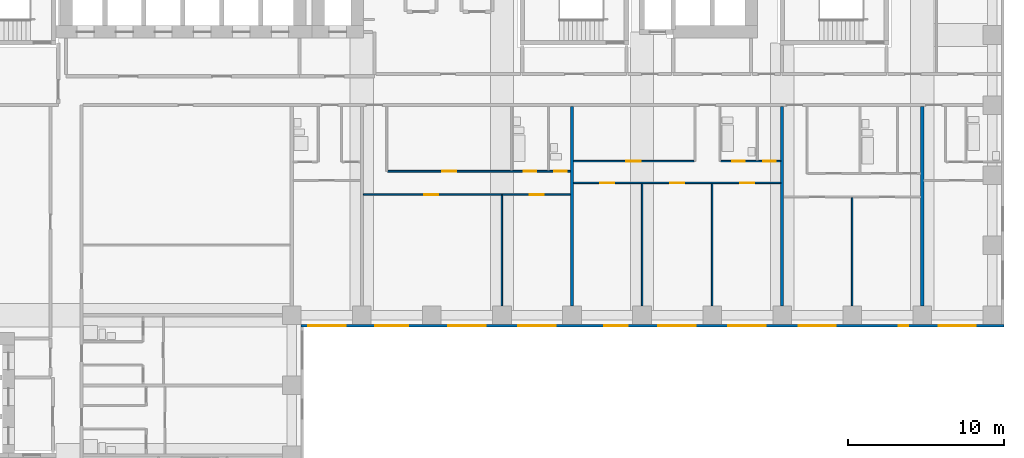
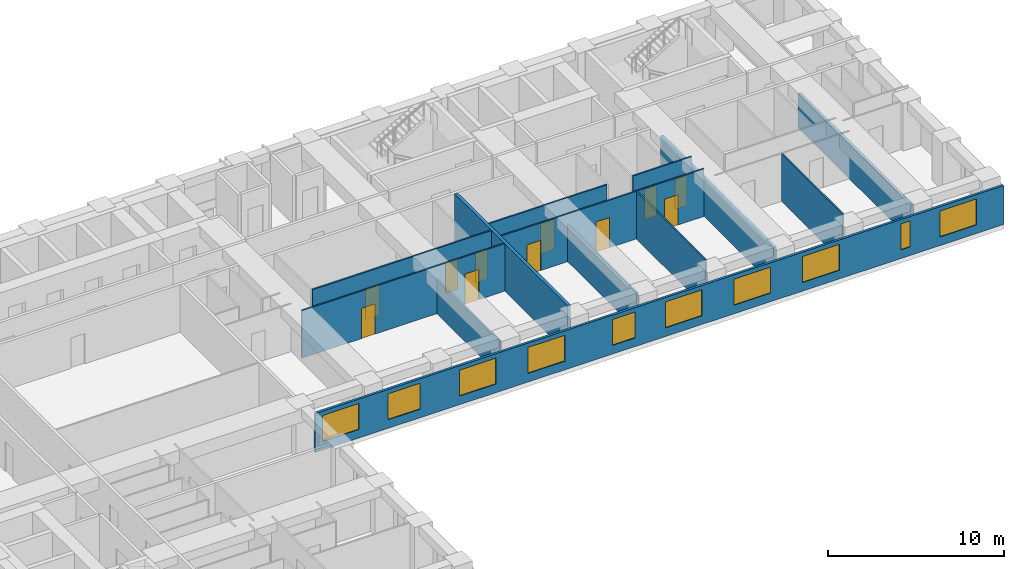
# One storey, part 6 of 11: 13 walls, 11 doors, 10 windows, 21 openings.
"""IFC4 building model written with IfcOpenShell, lengths in metres."""

from ifc_helpers import new_model, si_unit, direction, frame, frame_2d, origin, place, context, subcontext, project, spatial, rectangle, extrude, material, layer, layer_set, type_object, element, fill, save


model = new_model("IFC4")

# Units and contexts
model_context = context("Model", 3, precision=1e-05, world=origin(), true_north=direction((0.0, 1.0)))
body_context = subcontext(model_context, "Body", "Model", "MODEL_VIEW")
ifc_project = project(units=[si_unit("LENGTHUNIT", "METRE"), si_unit("AREAUNIT", "SQUARE_METRE"), si_unit("VOLUMEUNIT", "CUBIC_METRE"), si_unit("PLANEANGLEUNIT", "RADIAN"), si_unit("MASSUNIT", "GRAM", prefix="KILO")], contexts=[model_context])

# Site, building, storey
site_placement = place(None, origin())
site = spatial("IfcSite", under=ifc_project, at=site_placement, CompositionType="ELEMENT")
building_placement = place(site_placement, origin())
building = spatial("IfcBuilding", under=site, at=building_placement, Name="Firuza Court", CompositionType="ELEMENT")
storey_placement = place(building_placement, frame((0.0, 0.0, 61.39990234375)))
storey = spatial("IfcBuildingStorey", under=building, at=storey_placement, Name="L14", CompositionType="ELEMENT", Elevation=61.39990234375)

# Walls
ifc_material_1 = material(Name="Timber stud partition, plasterboard both sides", Category="wood")
ifc_layer_1 = layer(ifc_material_1, 0.10009765625)
ifc_layer_set_1 = layer_set([ifc_layer_1], Name="Timber stud partition, plasterboard both sides")
wall_type_1 = type_object("IfcWallType", Name="Partition wall 100", PredefinedType="PARTITIONING", material=ifc_layer_set_1)
wall_1_placement = place(storey_placement, frame((36.0, 36.60009765625, 0.0), z_axis=(0.0, 0.0, 1.0), x_axis=(0.0, 1.0, 0.0)))
element("IfcWall", 1, at=wall_1_placement, inside=storey, type_object=wall_type_1, Name="Partition wall 100 L14", PredefinedType="PARTITIONING", context=body_context, shape_type="SweptSolid", body=[
    extrude(rectangle(XDim=7.099853515625, YDim=0.10009765625, at=frame_2d((3.5498046875, 0.0))), origin(), (0.0, 0.0, 1.0), 2.400146484375),
])
wall_2_placement = place(storey_placement, frame((45.0, 36.60009765625, 0.0), z_axis=(0.0, 0.0, 1.0), x_axis=(0.0, 1.0, 0.0)))
element("IfcWall", 2, at=wall_2_placement, inside=storey, type_object=wall_type_1, Name="Partition wall 100 L14", PredefinedType="PARTITIONING", context=body_context, shape_type="SweptSolid", body=[
    extrude(rectangle(XDim=7.849853515625, YDim=0.10009765625, at=frame_2d((3.9248046875, 0.0))), origin(), (0.0, 0.0, 1.0), 2.60009765625),
])
wall_3_placement = place(storey_placement, frame((49.5, 36.60009765625, 0.0), z_axis=(0.0, 0.0, 1.0), x_axis=(0.0, 1.0, 0.0)))
element("IfcWall", 3, at=wall_3_placement, inside=storey, type_object=wall_type_1, Name="Partition wall 100 L14", PredefinedType="PARTITIONING", context=body_context, shape_type="SweptSolid", body=[
    extrude(rectangle(XDim=7.849853515625, YDim=0.10009765625, at=frame_2d((3.9248046875, 0.0))), origin(), (0.0, 0.0, 1.0), 3.300048828125),
])
wall_4_placement = place(storey_placement, frame((58.5, 36.60009765625, 0.0), z_axis=(0.0, 0.0, 1.0), x_axis=(0.0, 1.0, 0.0)))
element("IfcWall", 4, at=wall_4_placement, inside=storey, type_object=wall_type_1, Name="Partition wall 100 L14", PredefinedType="PARTITIONING", context=body_context, shape_type="SweptSolid", body=[
    extrude(rectangle(XDim=6.949951171875, YDim=0.10009765625, at=frame_2d((3.47509765625, 0.0))), origin(), (0.0, 0.0, 1.0), 3.300048828125),
])

# Wall, openings, doors
wall_5_placement = place(storey_placement, frame((27.10009765625, 43.75, 0.0), z_axis=(0.0, 0.0, 1.0), x_axis=(1.0, 0.0, 0.0)))
wall_5 = element("IfcWall", 5, at=wall_5_placement, inside=storey, type_object=wall_type_1, Name="Partition wall 100 L14", PredefinedType="PARTITIONING", context=body_context, shape_type="SweptSolid", body=[
    extrude(rectangle(XDim=13.2998046875, YDim=0.10009765625, at=frame_2d((6.64990234375, 0.0))), origin(), (0.0, 0.0, 1.0), 3.300048828125),
])
opening_1_placement = place(wall_5_placement, frame((3.89990234375, 0.0, 0.0)))
opening_1 = element("IfcOpeningElement", 6, at=opening_1_placement, cuts=wall_5, Name="Opening D14044", PredefinedType="OPENING", context=body_context, shape_type="SweptSolid", body=[
    extrude(rectangle(XDim=0.89990234375, YDim=2.10009765625, at=frame_2d((0.449951171875, 1.050048828125))), frame((0.0, 0.06201171875, 0.0), z_axis=(0.0, -1.0, 0.0), x_axis=(1.0, 0.0, 0.0)), (0.0, 0.0, 1.0), 0.1240234375),
])
opening_2_placement = place(wall_5_placement, frame((10.699951171875, 0.0, 0.0)))
opening_2 = element("IfcOpeningElement", 7, at=opening_2_placement, cuts=wall_5, Name="Opening D14045", PredefinedType="OPENING", context=body_context, shape_type="SweptSolid", body=[
    extrude(rectangle(XDim=0.89990234375, YDim=2.10009765625, at=frame_2d((0.449951171875, 1.050048828125))), frame((0.0, 0.06201171875, 0.0), z_axis=(0.0, -1.0, 0.0), x_axis=(1.0, 0.0, 0.0)), (0.0, 0.0, 1.0), 0.1240234375),
])
ifc_material_2 = material(Name="Timber door leaf in hardwood frame", Category="wood")
door_type_1 = type_object("IfcDoorType", Name="Room door 900", OperationType="SINGLE_SWING_LEFT", PredefinedType="DOOR", material=ifc_material_2)
door_1_placement = place(opening_1_placement, frame((0.89990234375, 0.0, 0.0), z_axis=(0.0, 0.0, 1.0), x_axis=(-1.0, 0.0, 0.0)))
door_1 = element("IfcDoor", 8, at=door_1_placement, inside=storey, type_object=door_type_1, Name="Living room door", OperationType="SINGLE_SWING_RIGHT", OverallHeight=2.10009765625, OverallWidth=0.89990234375, PredefinedType="DOOR", context=body_context, shape_type="SweptSolid", body=[
    extrude(rectangle(XDim=0.89990234375, YDim=2.10009765625, at=frame_2d((0.449951171875, 1.050048828125))), frame((0.0, 0.02490234375, 0.0), z_axis=(0.0, -1.0, 0.0), x_axis=(1.0, 0.0, 0.0)), (0.0, 0.0, 1.0), 0.050048828125),
])
fill(opening_1, door_1)
door_2_placement = place(opening_2_placement, frame((0.89990234375, 0.0, 0.0), z_axis=(0.0, 0.0, 1.0), x_axis=(-1.0, 0.0, 0.0)))
door_2 = element("IfcDoor", 9, at=door_2_placement, inside=storey, type_object=door_type_1, Name="Bedroom door", OperationType="SINGLE_SWING_RIGHT", OverallHeight=2.10009765625, OverallWidth=0.89990234375, PredefinedType="DOOR", context=body_context, shape_type="SweptSolid", body=[
    extrude(rectangle(XDim=0.89990234375, YDim=2.10009765625, at=frame_2d((0.449951171875, 1.050048828125))), frame((0.0, 0.02490234375, 0.0), z_axis=(0.0, -1.0, 0.0), x_axis=(1.0, 0.0, 0.0)), (0.0, 0.0, 1.0), 0.050048828125),
])
fill(opening_2, door_2)

wall_6_placement = place(storey_placement, frame((40.60009765625, 44.5, 0.0), z_axis=(0.0, 0.0, 1.0), x_axis=(1.0, 0.0, 0.0)))
wall_6 = element("IfcWall", 10, at=wall_6_placement, inside=storey, type_object=wall_type_1, Name="Partition wall 100 L14", PredefinedType="PARTITIONING", context=body_context, shape_type="SweptSolid", body=[
    extrude(rectangle(XDim=13.2998046875, YDim=0.10009765625, at=frame_2d((6.64990234375, 0.0))), origin(), (0.0, 0.0, 1.0), 3.300048828125),
])
opening_3_placement = place(wall_6_placement, frame((1.699951171875, 0.0, 0.0)))
opening_3 = element("IfcOpeningElement", 11, at=opening_3_placement, cuts=wall_6, Name="Opening D14046", PredefinedType="OPENING", context=body_context, shape_type="SweptSolid", body=[
    extrude(rectangle(XDim=0.89990234375, YDim=2.10009765625, at=frame_2d((0.449951171875, 1.050048828125))), frame((0.0, 0.06201171875, 0.0), z_axis=(0.0, -1.0, 0.0), x_axis=(1.0, 0.0, 0.0)), (0.0, 0.0, 1.0), 0.1240234375),
])
opening_4_placement = place(wall_6_placement, frame((6.199951171875, 0.0, 0.0)))
opening_4 = element("IfcOpeningElement", 12, at=opening_4_placement, cuts=wall_6, Name="Opening D14047", PredefinedType="OPENING", context=body_context, shape_type="SweptSolid", body=[
    extrude(rectangle(XDim=0.89990234375, YDim=2.10009765625, at=frame_2d((0.449951171875, 1.050048828125))), frame((0.0, 0.06201171875, 0.0), z_axis=(0.0, -1.0, 0.0), x_axis=(1.0, 0.0, 0.0)), (0.0, 0.0, 1.0), 0.1240234375),
])
opening_5_placement = place(wall_6_placement, frame((10.699951171875, 0.0, 0.0)))
opening_5 = element("IfcOpeningElement", 13, at=opening_5_placement, cuts=wall_6, Name="Opening D14048", PredefinedType="OPENING", context=body_context, shape_type="SweptSolid", body=[
    extrude(rectangle(XDim=0.89990234375, YDim=2.10009765625, at=frame_2d((0.449951171875, 1.050048828125))), frame((0.0, 0.06201171875, 0.0), z_axis=(0.0, -1.0, 0.0), x_axis=(1.0, 0.0, 0.0)), (0.0, 0.0, 1.0), 0.1240234375),
])
door_3_placement = place(opening_3_placement, frame((0.89990234375, 0.0, 0.0), z_axis=(0.0, 0.0, 1.0), x_axis=(-1.0, 0.0, 0.0)))
door_3 = element("IfcDoor", 14, at=door_3_placement, inside=storey, type_object=door_type_1, Name="Living room door", OperationType="SINGLE_SWING_RIGHT", OverallHeight=2.10009765625, OverallWidth=0.89990234375, PredefinedType="DOOR", context=body_context, shape_type="SweptSolid", body=[
    extrude(rectangle(XDim=0.89990234375, YDim=2.10009765625, at=frame_2d((0.449951171875, 1.050048828125))), frame((0.0, 0.02490234375, 0.0), z_axis=(0.0, -1.0, 0.0), x_axis=(1.0, 0.0, 0.0)), (0.0, 0.0, 1.0), 0.050048828125),
])
fill(opening_3, door_3)
door_4_placement = place(opening_4_placement, frame((0.89990234375, 0.0, 0.0), z_axis=(0.0, 0.0, 1.0), x_axis=(-1.0, 0.0, 0.0)))
door_4 = element("IfcDoor", 15, at=door_4_placement, inside=storey, type_object=door_type_1, Name="Bedroom door", OperationType="SINGLE_SWING_RIGHT", OverallHeight=2.10009765625, OverallWidth=0.89990234375, PredefinedType="DOOR", context=body_context, shape_type="SweptSolid", body=[
    extrude(rectangle(XDim=0.89990234375, YDim=2.10009765625, at=frame_2d((0.449951171875, 1.050048828125))), frame((0.0, 0.02490234375, 0.0), z_axis=(0.0, -1.0, 0.0), x_axis=(1.0, 0.0, 0.0)), (0.0, 0.0, 1.0), 0.050048828125),
])
fill(opening_4, door_4)
door_5_placement = place(opening_5_placement, frame((0.89990234375, 0.0, 0.0), z_axis=(0.0, 0.0, 1.0), x_axis=(-1.0, 0.0, 0.0)))
door_5 = element("IfcDoor", 16, at=door_5_placement, inside=storey, type_object=door_type_1, Name="Study door", OperationType="SINGLE_SWING_RIGHT", OverallHeight=2.10009765625, OverallWidth=0.89990234375, PredefinedType="DOOR", context=body_context, shape_type="SweptSolid", body=[
    extrude(rectangle(XDim=0.89990234375, YDim=2.10009765625, at=frame_2d((0.449951171875, 1.050048828125))), frame((0.0, 0.02490234375, 0.0), z_axis=(0.0, -1.0, 0.0), x_axis=(1.0, 0.0, 0.0)), (0.0, 0.0, 1.0), 0.050048828125),
])
fill(opening_5, door_5)

wall_7_placement = place(storey_placement, frame((28.64990234375, 45.25, 0.0), z_axis=(0.0, 0.0, 1.0), x_axis=(1.0, 0.0, 0.0)))
wall_7 = element("IfcWall", 17, at=wall_7_placement, inside=storey, type_object=wall_type_1, Name="Partition wall 100 L14", PredefinedType="PARTITIONING", context=body_context, shape_type="SweptSolid", body=[
    extrude(rectangle(XDim=11.75, YDim=0.10009765625, at=frame_2d((5.875, 0.0))), origin(), (0.0, 0.0, 1.0), 3.300048828125),
])
opening_6_placement = place(wall_7_placement, frame((8.75, 0.0, 0.0)))
opening_6 = element("IfcOpeningElement", 18, at=opening_6_placement, cuts=wall_7, Name="Opening D14054", PredefinedType="OPENING", context=body_context, shape_type="SweptSolid", body=[
    extrude(rectangle(XDim=0.800048828125, YDim=2.10009765625, at=frame_2d((0.39990234375, 1.050048828125))), frame((0.0, 0.06201171875, 0.0), z_axis=(0.0, -1.0, 0.0), x_axis=(1.0, 0.0, 0.0)), (0.0, 0.0, 1.0), 0.1240234375),
])
opening_7_placement = place(wall_7_placement, frame((3.5, 0.0, 0.0)))
opening_7 = element("IfcOpeningElement", 19, at=opening_7_placement, cuts=wall_7, Name="Opening D14055", PredefinedType="OPENING", context=body_context, shape_type="SweptSolid", body=[
    extrude(rectangle(XDim=0.89990234375, YDim=2.10009765625, at=frame_2d((0.449951171875, 1.050048828125))), frame((0.0, 0.06201171875, 0.0), z_axis=(0.0, -1.0, 0.0), x_axis=(1.0, 0.0, 0.0)), (0.0, 0.0, 1.0), 0.1240234375),
])
opening_8_placement = place(wall_7_placement, frame((10.699951171875, 0.0, 0.0)))
opening_8 = element("IfcOpeningElement", 20, at=opening_8_placement, cuts=wall_7, Name="Opening D14056", PredefinedType="OPENING", context=body_context, shape_type="SweptSolid", body=[
    extrude(rectangle(XDim=0.800048828125, YDim=2.10009765625, at=frame_2d((0.39990234375, 1.050048828125))), frame((0.0, 0.06201171875, 0.0), z_axis=(0.0, -1.0, 0.0), x_axis=(1.0, 0.0, 0.0)), (0.0, 0.0, 1.0), 0.1240234375),
])
ifc_material_3 = material(Name="Timber door leaf in hardwood frame", Category="wood")
door_type_2 = type_object("IfcDoorType", Name="Bathroom door 800", OperationType="SINGLE_SWING_LEFT", PredefinedType="DOOR", material=ifc_material_3)
door_6_placement = place(opening_6_placement, origin())
door_6 = element("IfcDoor", 21, at=door_6_placement, inside=storey, type_object=door_type_2, Name="Bathroom door", OperationType="SINGLE_SWING_LEFT", OverallHeight=2.10009765625, OverallWidth=0.800048828125, PredefinedType="DOOR", context=body_context, shape_type="SweptSolid", body=[
    extrude(rectangle(XDim=0.800048828125, YDim=2.10009765625, at=frame_2d((0.39990234375, 1.050048828125))), frame((0.0, 0.02490234375, 0.0), z_axis=(0.0, -1.0, 0.0), x_axis=(1.0, 0.0, 0.0)), (0.0, 0.0, 1.0), 0.050048828125),
])
fill(opening_6, door_6)
door_7_placement = place(opening_8_placement, origin())
door_7 = element("IfcDoor", 22, at=door_7_placement, inside=storey, type_object=door_type_2, Name="Powder room door", OperationType="SINGLE_SWING_LEFT", OverallHeight=2.10009765625, OverallWidth=0.800048828125, PredefinedType="DOOR", context=body_context, shape_type="SweptSolid", body=[
    extrude(rectangle(XDim=0.800048828125, YDim=2.10009765625, at=frame_2d((0.39990234375, 1.050048828125))), frame((0.0, 0.02490234375, 0.0), z_axis=(0.0, -1.0, 0.0), x_axis=(1.0, 0.0, 0.0)), (0.0, 0.0, 1.0), 0.050048828125),
])
fill(opening_8, door_7)
door_8_placement = place(opening_7_placement, origin())
door_8 = element("IfcDoor", 23, at=door_8_placement, inside=storey, type_object=door_type_1, Name="Kitchen door", OperationType="SINGLE_SWING_LEFT", OverallHeight=2.10009765625, OverallWidth=0.89990234375, PredefinedType="DOOR", context=body_context, shape_type="SweptSolid", body=[
    extrude(rectangle(XDim=0.89990234375, YDim=2.10009765625, at=frame_2d((0.449951171875, 1.050048828125))), frame((0.0, 0.02490234375, 0.0), z_axis=(0.0, -1.0, 0.0), x_axis=(1.0, 0.0, 0.0)), (0.0, 0.0, 1.0), 0.050048828125),
])
fill(opening_7, door_8)

# Wall, opening, door
wall_8_placement = place(storey_placement, frame((40.60009765625, 45.89990234375, 0.0), z_axis=(0.0, 0.0, 1.0), x_axis=(1.0, 0.0, 0.0)))
wall_8 = element("IfcWall", 24, at=wall_8_placement, inside=storey, type_object=wall_type_1, Name="Partition wall 100 L14", PredefinedType="PARTITIONING", context=body_context, shape_type="SweptSolid", body=[
    extrude(rectangle(XDim=7.75, YDim=0.10009765625, at=frame_2d((3.875, 0.0))), origin(), (0.0, 0.0, 1.0), 3.300048828125),
])
opening_9_placement = place(wall_8_placement, frame((3.39990234375, 0.0, 0.0)))
opening_9 = element("IfcOpeningElement", 25, at=opening_9_placement, cuts=wall_8, Name="Opening D14061", PredefinedType="OPENING", context=body_context, shape_type="SweptSolid", body=[
    extrude(rectangle(XDim=0.89990234375, YDim=2.10009765625, at=frame_2d((0.449951171875, 1.050048828125))), frame((0.0, 0.06201171875, 0.0), z_axis=(0.0, -1.0, 0.0), x_axis=(1.0, 0.0, 0.0)), (0.0, 0.0, 1.0), 0.1240234375),
])
door_9_placement = place(opening_9_placement, origin())
door_9 = element("IfcDoor", 26, at=door_9_placement, inside=storey, type_object=door_type_1, Name="Kitchen door", OperationType="SINGLE_SWING_LEFT", OverallHeight=2.10009765625, OverallWidth=0.89990234375, PredefinedType="DOOR", context=body_context, shape_type="SweptSolid", body=[
    extrude(rectangle(XDim=0.89990234375, YDim=2.10009765625, at=frame_2d((0.449951171875, 1.050048828125))), frame((0.0, 0.02490234375, 0.0), z_axis=(0.0, -1.0, 0.0), x_axis=(1.0, 0.0, 0.0)), (0.0, 0.0, 1.0), 0.050048828125),
])
fill(opening_9, door_9)

# Wall, openings, doors
wall_9_placement = place(storey_placement, frame((50.050048828125, 45.89990234375, 0.0), z_axis=(0.0, 0.0, 1.0), x_axis=(1.0, 0.0, 0.0)))
wall_9 = element("IfcWall", 27, at=wall_9_placement, inside=storey, type_object=wall_type_1, Name="Partition wall 100 L14", PredefinedType="PARTITIONING", context=body_context, shape_type="SweptSolid", body=[
    extrude(rectangle(XDim=3.849853515625, YDim=0.10009765625, at=frame_2d((1.9248046875, 0.0))), origin(), (0.0, 0.0, 1.0), 3.300048828125),
])
opening_10_placement = place(wall_9_placement, frame((0.75, 0.0, 0.0)))
opening_10 = element("IfcOpeningElement", 28, at=opening_10_placement, cuts=wall_9, Name="Opening D14062", PredefinedType="OPENING", context=body_context, shape_type="SweptSolid", body=[
    extrude(rectangle(XDim=0.800048828125, YDim=2.10009765625, at=frame_2d((0.39990234375, 1.050048828125))), frame((0.0, 0.06201171875, 0.0), z_axis=(0.0, -1.0, 0.0), x_axis=(1.0, 0.0, 0.0)), (0.0, 0.0, 1.0), 0.1240234375),
])
opening_11_placement = place(wall_9_placement, frame((2.75, 0.0, 0.0)))
opening_11 = element("IfcOpeningElement", 29, at=opening_11_placement, cuts=wall_9, Name="Opening D14063", PredefinedType="OPENING", context=body_context, shape_type="SweptSolid", body=[
    extrude(rectangle(XDim=0.800048828125, YDim=2.10009765625, at=frame_2d((0.39990234375, 1.050048828125))), frame((0.0, 0.06201171875, 0.0), z_axis=(0.0, -1.0, 0.0), x_axis=(1.0, 0.0, 0.0)), (0.0, 0.0, 1.0), 0.1240234375),
])
door_10_placement = place(opening_10_placement, origin())
door_10 = element("IfcDoor", 30, at=door_10_placement, inside=storey, type_object=door_type_2, Name="Bathroom door", OperationType="SINGLE_SWING_LEFT", OverallHeight=2.10009765625, OverallWidth=0.800048828125, PredefinedType="DOOR", context=body_context, shape_type="SweptSolid", body=[
    extrude(rectangle(XDim=0.800048828125, YDim=2.10009765625, at=frame_2d((0.39990234375, 1.050048828125))), frame((0.0, 0.02490234375, 0.0), z_axis=(0.0, -1.0, 0.0), x_axis=(1.0, 0.0, 0.0)), (0.0, 0.0, 1.0), 0.050048828125),
])
fill(opening_10, door_10)
ifc_material_4 = material(Name="Timber door leaf in hardwood frame", Category="wood")
door_type_3 = type_object("IfcDoorType", Name="Room door 800", OperationType="SINGLE_SWING_LEFT", PredefinedType="DOOR", material=ifc_material_4)
door_11_placement = place(opening_11_placement, origin())
door_11 = element("IfcDoor", 31, at=door_11_placement, inside=storey, type_object=door_type_3, Name="Store door", OperationType="SINGLE_SWING_LEFT", OverallHeight=2.10009765625, OverallWidth=0.800048828125, PredefinedType="DOOR", context=body_context, shape_type="SweptSolid", body=[
    extrude(rectangle(XDim=0.800048828125, YDim=2.10009765625, at=frame_2d((0.39990234375, 1.050048828125))), frame((0.0, 0.02490234375, 0.0), z_axis=(0.0, -1.0, 0.0), x_axis=(1.0, 0.0, 0.0)), (0.0, 0.0, 1.0), 0.050048828125),
])
fill(opening_11, door_11)

# Walls
ifc_material_5 = material(Name="Blockwork, plastered both sides", Category="masonry")
ifc_layer_2 = layer(ifc_material_5, 0.199951171875)
ifc_layer_set_2 = layer_set([ifc_layer_2], Name="Blockwork, plastered both sides")
wall_type_2 = type_object("IfcWallType", Name="Party wall 200", PredefinedType="PARTITIONING", material=ifc_layer_set_2)
wall_10_placement = place(storey_placement, frame((40.5, 36.60009765625, 0.0), z_axis=(0.0, 0.0, 1.0), x_axis=(0.0, 1.0, 0.0)))
element("IfcWall", 32, at=wall_10_placement, inside=storey, type_object=wall_type_2, Name="Party wall 200 L14", PredefinedType="PARTITIONING", context=body_context, shape_type="SweptSolid", body=[
    extrude(rectangle(XDim=12.7998046875, YDim=0.199951171875, at=frame_2d((6.39990234375, 0.0))), origin(), (0.0, 0.0, 1.0), 3.300048828125),
])
wall_11_placement = place(storey_placement, frame((54.0, 36.60009765625, 0.0), z_axis=(0.0, 0.0, 1.0), x_axis=(0.0, 1.0, 0.0)))
element("IfcWall", 33, at=wall_11_placement, inside=storey, type_object=wall_type_2, Name="Party wall 200 L14", PredefinedType="PARTITIONING", context=body_context, shape_type="SweptSolid", body=[
    extrude(rectangle(XDim=12.7998046875, YDim=0.199951171875, at=frame_2d((6.39990234375, 0.0))), origin(), (0.0, 0.0, 1.0), 2.60009765625),
])
wall_12_placement = place(storey_placement, frame((63.0, 36.60009765625, 0.0), z_axis=(0.0, 0.0, 1.0), x_axis=(0.0, 1.0, 0.0)))
element("IfcWall", 34, at=wall_12_placement, inside=storey, type_object=wall_type_2, Name="Party wall 200 L14", PredefinedType="PARTITIONING", context=body_context, shape_type="SweptSolid", body=[
    extrude(rectangle(XDim=12.7998046875, YDim=0.199951171875, at=frame_2d((6.39990234375, 0.0))), origin(), (0.0, 0.0, 1.0), 2.400146484375),
])

# Wall, openings, windows
ifc_material_6 = material(Name="Ceramic tile", Category="ceramic")
ifc_layer_3 = layer(ifc_material_6, 0.02001953125)
ifc_material_7 = material(Name="Mineral wool insulation", Category="insulation")
ifc_layer_4 = layer(ifc_material_7, 0.050048828125)
ifc_material_8 = material(Name="Concrete C40/50 precast", Category="concrete")
ifc_layer_5 = layer(ifc_material_8, 0.080078125)
ifc_layer_set_3 = layer_set([ifc_layer_3, ifc_layer_4, ifc_layer_5], Name="Concrete C40/50 precast")
wall_type_3 = type_object("IfcWallType", Name="Precast cladding wall with turquoise TILE PANEL face 150", PredefinedType="STANDARD", material=ifc_layer_set_3)
wall_13_placement = place(storey_placement, frame((23.10009765625, 35.324951171875, 0.0), z_axis=(0.0, 0.0, 1.0), x_axis=(1.0, 0.0, 0.0)))
wall_13 = element("IfcWall", 35, at=wall_13_placement, inside=storey, type_object=wall_type_3, Name="Facade wall L14 S", PredefinedType="STANDARD", context=body_context, shape_type="SweptSolid", body=[
    extrude(rectangle(XDim=45.14990234375, YDim=0.14990234375, at=frame_2d((22.574951171875, 0.0))), origin(), (0.0, 0.0, 1.0), 2.7001953125),
])
opening_12_placement = place(wall_13_placement, frame((0.449951171875, 0.0, 0.60009765625)))
opening_12 = element("IfcOpeningElement", 36, at=opening_12_placement, cuts=wall_13, Name="Opening W1", PredefinedType="OPENING", context=body_context, shape_type="SweptSolid", body=[
    extrude(rectangle(XDim=2.39990234375, YDim=1.800048828125, at=frame_2d((1.199951171875, 0.89990234375))), frame((0.0, 0.0869140625, 0.0), z_axis=(0.0, -1.0, 0.0), x_axis=(1.0, 0.0, 0.0)), (0.0, 0.0, 1.0), 0.173828125),
])
opening_13_placement = place(wall_13_placement, frame((4.770263671875, 0.0, 0.60009765625)))
opening_13 = element("IfcOpeningElement", 37, at=opening_13_placement, cuts=wall_13, Name="Opening W6", PredefinedType="OPENING", context=body_context, shape_type="SweptSolid", body=[
    extrude(rectangle(XDim=2.10009765625, YDim=1.800048828125, at=frame_2d((1.050048828125, 0.89990234375))), frame((0.0, 0.0869140625, 0.0), z_axis=(0.0, -1.0, 0.0), x_axis=(1.0, 0.0, 0.0)), (0.0, 0.0, 1.0), 0.173828125),
])
opening_14_placement = place(wall_13_placement, frame((9.449951171875, 0.0, 0.60009765625)))
opening_14 = element("IfcOpeningElement", 38, at=opening_14_placement, cuts=wall_13, Name="Opening W1", PredefinedType="OPENING", context=body_context, shape_type="SweptSolid", body=[
    extrude(rectangle(XDim=2.39990234375, YDim=1.800048828125, at=frame_2d((1.199951171875, 0.89990234375))), frame((0.0, 0.0869140625, 0.0), z_axis=(0.0, -1.0, 0.0), x_axis=(1.0, 0.0, 0.0)), (0.0, 0.0, 1.0), 0.173828125),
])
opening_15_placement = place(wall_13_placement, frame((13.949951171875, 0.0, 0.60009765625)))
opening_15 = element("IfcOpeningElement", 39, at=opening_15_placement, cuts=wall_13, Name="Opening W1", PredefinedType="OPENING", context=body_context, shape_type="SweptSolid", body=[
    extrude(rectangle(XDim=2.39990234375, YDim=1.800048828125, at=frame_2d((1.199951171875, 0.89990234375))), frame((0.0, 0.0869140625, 0.0), z_axis=(0.0, -1.0, 0.0), x_axis=(1.0, 0.0, 0.0)), (0.0, 0.0, 1.0), 0.173828125),
])
opening_16_placement = place(wall_13_placement, frame((19.470458984375, 0.0, 0.60009765625)))
opening_16 = element("IfcOpeningElement", 40, at=opening_16_placement, cuts=wall_13, Name="Opening W2", PredefinedType="OPENING", context=body_context, shape_type="SweptSolid", body=[
    extrude(rectangle(XDim=1.5, YDim=1.800048828125, at=frame_2d((0.75, 0.89990234375))), frame((0.0, 0.0869140625, 0.0), z_axis=(0.0, -1.0, 0.0), x_axis=(1.0, 0.0, 0.0)), (0.0, 0.0, 1.0), 0.173828125),
])
opening_17_placement = place(wall_13_placement, frame((22.949951171875, 0.0, 0.60009765625)))
opening_17 = element("IfcOpeningElement", 41, at=opening_17_placement, cuts=wall_13, Name="Opening W1", PredefinedType="OPENING", context=body_context, shape_type="SweptSolid", body=[
    extrude(rectangle(XDim=2.39990234375, YDim=1.800048828125, at=frame_2d((1.199951171875, 0.89990234375))), frame((0.0, 0.0869140625, 0.0), z_axis=(0.0, -1.0, 0.0), x_axis=(1.0, 0.0, 0.0)), (0.0, 0.0, 1.0), 0.173828125),
])
opening_18_placement = place(wall_13_placement, frame((27.449951171875, 0.0, 0.60009765625)))
opening_18 = element("IfcOpeningElement", 42, at=opening_18_placement, cuts=wall_13, Name="Opening W1", PredefinedType="OPENING", context=body_context, shape_type="SweptSolid", body=[
    extrude(rectangle(XDim=2.39990234375, YDim=1.800048828125, at=frame_2d((1.199951171875, 0.89990234375))), frame((0.0, 0.0869140625, 0.0), z_axis=(0.0, -1.0, 0.0), x_axis=(1.0, 0.0, 0.0)), (0.0, 0.0, 1.0), 0.173828125),
])
opening_19_placement = place(wall_13_placement, frame((31.949951171875, 0.0, 0.60009765625)))
opening_19 = element("IfcOpeningElement", 43, at=opening_19_placement, cuts=wall_13, Name="Opening W1", PredefinedType="OPENING", context=body_context, shape_type="SweptSolid", body=[
    extrude(rectangle(XDim=2.39990234375, YDim=1.800048828125, at=frame_2d((1.199951171875, 0.89990234375))), frame((0.0, 0.0869140625, 0.0), z_axis=(0.0, -1.0, 0.0), x_axis=(1.0, 0.0, 0.0)), (0.0, 0.0, 1.0), 0.173828125),
])
opening_20_placement = place(wall_13_placement, frame((38.402587890625, 0.0, 0.60009765625)))
opening_20 = element("IfcOpeningElement", 44, at=opening_20_placement, cuts=wall_13, Name="Opening W4", PredefinedType="OPENING", context=body_context, shape_type="SweptSolid", body=[
    extrude(rectangle(XDim=0.60009765625, YDim=1.800048828125, at=frame_2d((0.300048828125, 0.89990234375))), frame((0.0, 0.0869140625, 0.0), z_axis=(0.0, -1.0, 0.0), x_axis=(1.0, 0.0, 0.0)), (0.0, 0.0, 1.0), 0.173828125),
])
opening_21_placement = place(wall_13_placement, frame((40.949951171875, 0.0, 0.60009765625)))
opening_21 = element("IfcOpeningElement", 45, at=opening_21_placement, cuts=wall_13, Name="Opening W1", PredefinedType="OPENING", context=body_context, shape_type="SweptSolid", body=[
    extrude(rectangle(XDim=2.39990234375, YDim=1.800048828125, at=frame_2d((1.199951171875, 0.89990234375))), frame((0.0, 0.0869140625, 0.0), z_axis=(0.0, -1.0, 0.0), x_axis=(1.0, 0.0, 0.0)), (0.0, 0.0, 1.0), 0.173828125),
])
ifc_material_9 = material(Name="Aluminium frame, triple clear glazing", Category="aluminium")
window_type_1 = type_object("IfcWindowType", Name="Window W1 2400 x 1800", PartitioningType="SINGLE_PANEL", PredefinedType="WINDOW", material=ifc_material_9)
window_1_placement = place(opening_12_placement, origin())
window_1 = element("IfcWindow", 46, at=window_1_placement, inside=storey, type_object=window_type_1, Name="Window L14", OverallHeight=1.800048828125, OverallWidth=2.39990234375, PartitioningType="SINGLE_PANEL", PredefinedType="WINDOW", context=body_context, shape_type="SweptSolid", body=[
    extrude(rectangle(XDim=2.39990234375, YDim=1.800048828125, at=frame_2d((1.199951171875, 0.89990234375))), frame((0.0, 0.030029296875, 0.0), z_axis=(0.0, -1.0, 0.0), x_axis=(1.0, 0.0, 0.0)), (0.0, 0.0, 1.0), 0.06005859375),
])
fill(opening_12, window_1)
window_2_placement = place(opening_14_placement, origin())
window_2 = element("IfcWindow", 47, at=window_2_placement, inside=storey, type_object=window_type_1, Name="Window L14", OverallHeight=1.800048828125, OverallWidth=2.39990234375, PartitioningType="SINGLE_PANEL", PredefinedType="WINDOW", context=body_context, shape_type="SweptSolid", body=[
    extrude(rectangle(XDim=2.39990234375, YDim=1.800048828125, at=frame_2d((1.199951171875, 0.89990234375))), frame((0.0, 0.030029296875, 0.0), z_axis=(0.0, -1.0, 0.0), x_axis=(1.0, 0.0, 0.0)), (0.0, 0.0, 1.0), 0.06005859375),
])
fill(opening_14, window_2)
window_3_placement = place(opening_15_placement, origin())
window_3 = element("IfcWindow", 48, at=window_3_placement, inside=storey, type_object=window_type_1, Name="Window L14", OverallHeight=1.800048828125, OverallWidth=2.39990234375, PartitioningType="SINGLE_PANEL", PredefinedType="WINDOW", context=body_context, shape_type="SweptSolid", body=[
    extrude(rectangle(XDim=2.39990234375, YDim=1.800048828125, at=frame_2d((1.199951171875, 0.89990234375))), frame((0.0, 0.030029296875, 0.0), z_axis=(0.0, -1.0, 0.0), x_axis=(1.0, 0.0, 0.0)), (0.0, 0.0, 1.0), 0.06005859375),
])
fill(opening_15, window_3)
window_4_placement = place(opening_17_placement, origin())
window_4 = element("IfcWindow", 49, at=window_4_placement, inside=storey, type_object=window_type_1, Name="Window L14", OverallHeight=1.800048828125, OverallWidth=2.39990234375, PartitioningType="SINGLE_PANEL", PredefinedType="WINDOW", context=body_context, shape_type="SweptSolid", body=[
    extrude(rectangle(XDim=2.39990234375, YDim=1.800048828125, at=frame_2d((1.199951171875, 0.89990234375))), frame((0.0, 0.030029296875, 0.0), z_axis=(0.0, -1.0, 0.0), x_axis=(1.0, 0.0, 0.0)), (0.0, 0.0, 1.0), 0.06005859375),
])
fill(opening_17, window_4)
window_5_placement = place(opening_18_placement, origin())
window_5 = element("IfcWindow", 50, at=window_5_placement, inside=storey, type_object=window_type_1, Name="Window L14", OverallHeight=1.800048828125, OverallWidth=2.39990234375, PartitioningType="SINGLE_PANEL", PredefinedType="WINDOW", context=body_context, shape_type="SweptSolid", body=[
    extrude(rectangle(XDim=2.39990234375, YDim=1.800048828125, at=frame_2d((1.199951171875, 0.89990234375))), frame((0.0, 0.030029296875, 0.0), z_axis=(0.0, -1.0, 0.0), x_axis=(1.0, 0.0, 0.0)), (0.0, 0.0, 1.0), 0.06005859375),
])
fill(opening_18, window_5)
window_6_placement = place(opening_19_placement, origin())
window_6 = element("IfcWindow", 51, at=window_6_placement, inside=storey, type_object=window_type_1, Name="Window L14", OverallHeight=1.800048828125, OverallWidth=2.39990234375, PartitioningType="SINGLE_PANEL", PredefinedType="WINDOW", context=body_context, shape_type="SweptSolid", body=[
    extrude(rectangle(XDim=2.39990234375, YDim=1.800048828125, at=frame_2d((1.199951171875, 0.89990234375))), frame((0.0, 0.030029296875, 0.0), z_axis=(0.0, -1.0, 0.0), x_axis=(1.0, 0.0, 0.0)), (0.0, 0.0, 1.0), 0.06005859375),
])
fill(opening_19, window_6)
window_7_placement = place(opening_21_placement, origin())
window_7 = element("IfcWindow", 52, at=window_7_placement, inside=storey, type_object=window_type_1, Name="Window L14", OverallHeight=1.800048828125, OverallWidth=2.39990234375, PartitioningType="SINGLE_PANEL", PredefinedType="WINDOW", context=body_context, shape_type="SweptSolid", body=[
    extrude(rectangle(XDim=2.39990234375, YDim=1.800048828125, at=frame_2d((1.199951171875, 0.89990234375))), frame((0.0, 0.030029296875, 0.0), z_axis=(0.0, -1.0, 0.0), x_axis=(1.0, 0.0, 0.0)), (0.0, 0.0, 1.0), 0.06005859375),
])
fill(opening_21, window_7)
ifc_material_10 = material(Name="Aluminium frame, triple clear glazing", Category="aluminium")
window_type_2 = type_object("IfcWindowType", Name="Window W2 1500 x 1800", PartitioningType="SINGLE_PANEL", PredefinedType="WINDOW", material=ifc_material_10)
window_8_placement = place(opening_16_placement, origin())
window_8 = element("IfcWindow", 53, at=window_8_placement, inside=storey, type_object=window_type_2, Name="Window L14", OverallHeight=1.800048828125, OverallWidth=1.5, PartitioningType="SINGLE_PANEL", PredefinedType="WINDOW", context=body_context, shape_type="SweptSolid", body=[
    extrude(rectangle(XDim=1.5, YDim=1.800048828125, at=frame_2d((0.75, 0.89990234375))), frame((0.0, 0.030029296875, 0.0), z_axis=(0.0, -1.0, 0.0), x_axis=(1.0, 0.0, 0.0)), (0.0, 0.0, 1.0), 0.06005859375),
])
fill(opening_16, window_8)
ifc_material_11 = material(Name="Aluminium frame, triple clear glazing", Category="aluminium")
window_type_3 = type_object("IfcWindowType", Name="Window W4 600 x 1800", PartitioningType="SINGLE_PANEL", PredefinedType="WINDOW", material=ifc_material_11)
window_9_placement = place(opening_20_placement, origin())
window_9 = element("IfcWindow", 54, at=window_9_placement, inside=storey, type_object=window_type_3, Name="Window L14", OverallHeight=1.800048828125, OverallWidth=0.60009765625, PartitioningType="SINGLE_PANEL", PredefinedType="WINDOW", context=body_context, shape_type="SweptSolid", body=[
    extrude(rectangle(XDim=0.60009765625, YDim=1.800048828125, at=frame_2d((0.300048828125, 0.89990234375))), frame((0.0, 0.030029296875, 0.0), z_axis=(0.0, -1.0, 0.0), x_axis=(1.0, 0.0, 0.0)), (0.0, 0.0, 1.0), 0.06005859375),
])
fill(opening_20, window_9)
ifc_material_12 = material(Name="Aluminium frame, triple clear glazing", Category="aluminium")
window_type_4 = type_object("IfcWindowType", Name="Window W6 2100 x 1800", PartitioningType="SINGLE_PANEL", PredefinedType="WINDOW", material=ifc_material_12)
window_10_placement = place(opening_13_placement, origin())
window_10 = element("IfcWindow", 55, at=window_10_placement, inside=storey, type_object=window_type_4, Name="Window L14", OverallHeight=1.800048828125, OverallWidth=2.10009765625, PartitioningType="SINGLE_PANEL", PredefinedType="WINDOW", context=body_context, shape_type="SweptSolid", body=[
    extrude(rectangle(XDim=2.10009765625, YDim=1.800048828125, at=frame_2d((1.050048828125, 0.89990234375))), frame((0.0, 0.030029296875, 0.0), z_axis=(0.0, -1.0, 0.0), x_axis=(1.0, 0.0, 0.0)), (0.0, 0.0, 1.0), 0.06005859375),
])
fill(opening_13, window_10)

save(model, "model.ifc")
